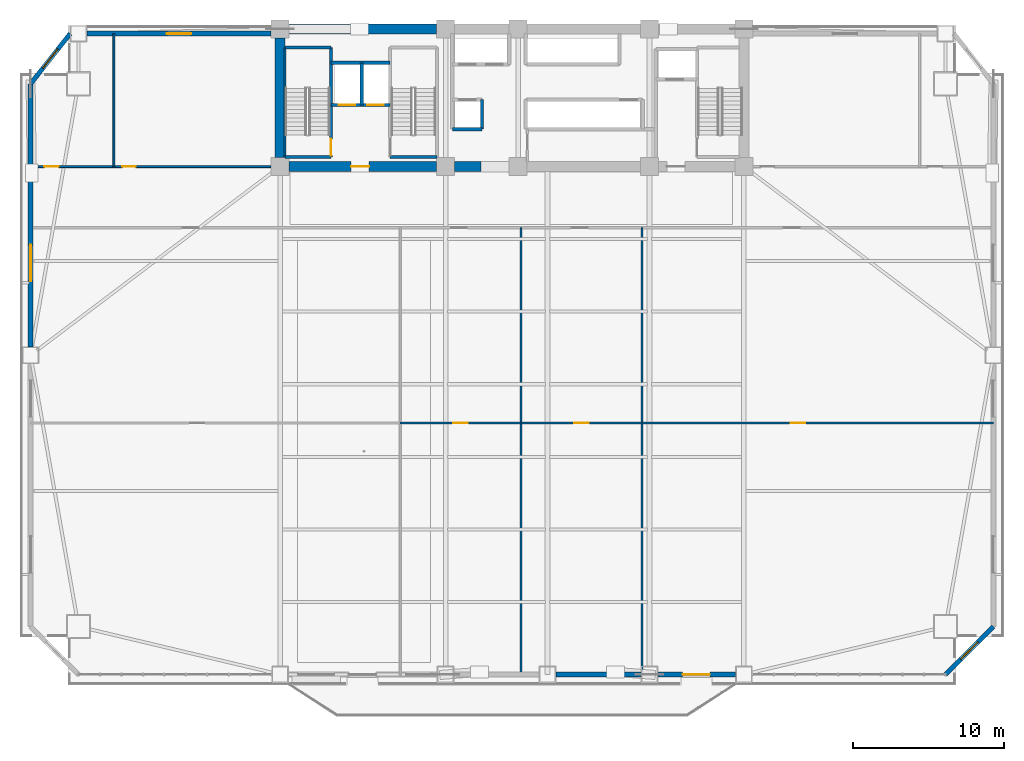
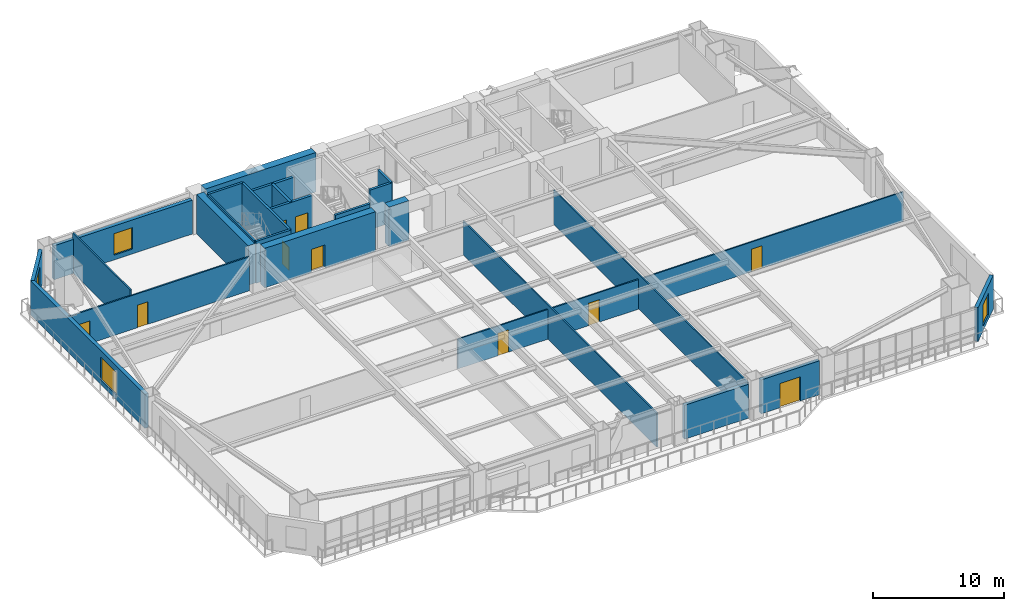
# One storey, part 9 of 17: 27 walls, 10 doors, 4 windows, 14 openings.
"""IFC4 building model written with IfcOpenShell, lengths in metres."""

from ifc_helpers import new_model, si_unit, direction, frame, frame_2d, origin, place, context, subcontext, project, spatial, rectangle, extrude, source, transform, mapped, material, layer, layer_set, type_object, element, fill, save


model = new_model("IFC4")

# Units and contexts
model_context = context("Model", 3, precision=1e-05, world=origin(), true_north=direction((0.0, 1.0)))
body_context = subcontext(model_context, "Body", "Model", "MODEL_VIEW")
ifc_project = project(units=[si_unit("LENGTHUNIT", "METRE"), si_unit("AREAUNIT", "SQUARE_METRE"), si_unit("VOLUMEUNIT", "CUBIC_METRE"), si_unit("PLANEANGLEUNIT", "RADIAN"), si_unit("MASSUNIT", "GRAM", prefix="KILO")], contexts=[model_context])

# Site, building, storey
site_placement = place(None, origin())
site = spatial("IfcSite", under=ifc_project, at=site_placement, CompositionType="ELEMENT")
building_placement = place(site_placement, origin())
building = spatial("IfcBuilding", under=site, at=building_placement, Name="Giltprow Tower", CompositionType="ELEMENT")
storey_placement = place(building_placement, frame((0.0, 0.0, 37.10009765625)))
storey = spatial("IfcBuildingStorey", under=building, at=storey_placement, Name="L09", CompositionType="ELEMENT", Elevation=37.10009765625)

# Wall, opening, window
ifc_material_1 = material(Name="Precast concrete C40", Category="concrete")
ifc_layer_1 = layer(ifc_material_1, 0.300048828125, Name="Precast concrete C40")
ifc_layer_set_1 = layer_set([ifc_layer_1], Name="Precast concrete C40")
wall_type_1 = type_object("IfcWallType", Name="EW-NOTCH-CHAMFER-300", PredefinedType="SOLIDWALL", material=ifc_layer_set_1)
wall_1_placement = place(storey_placement, frame((63.89111328125, 3.826904296875, 0.0), z_axis=(0.0, 0.0, 1.0), x_axis=(0.707079585295, 0.707133976032, 0.0)))
wall_1 = element("IfcWall", 1, at=wall_1_placement, inside=storey, type_object=wall_type_1, Name="L09 Corner Notch Wall SE", PredefinedType="SOLIDWALL", context=body_context, shape_type="SweptSolid", body=[
    extrude(rectangle(XDim=4.488525390625, YDim=0.300048828125, at=frame_2d((2.244140625, 0.0))), origin(), (0.0, 0.0, 1.0), 3.159912109375),
])
opening_1_placement = place(wall_1_placement, frame((1.444091796875, 0.0, 0.449951171875)))
opening_1 = element("IfcOpeningElement", 2, at=opening_1_placement, cuts=wall_1, Name="Opening WN17", PredefinedType="OPENING", context=body_context, shape_type="SweptSolid", body=[
    extrude(rectangle(XDim=1.60009765625, YDim=2.0, at=frame_2d((0.800048828125, 1.0))), frame((0.0, 0.159912109375, 0.0), z_axis=(0.0, -1.0, 0.0), x_axis=(1.0, 0.0, 0.0)), (0.0, 0.0, 1.0), 0.320068359375),
])
ifc_material_2 = material(Name="Insulated glass", Category="glass")
window_type_1 = type_object("IfcWindowType", Name="WN-COR-1600x2000", PartitioningType="SINGLE_PANEL", PredefinedType="WINDOW", material=ifc_material_2)
shared_shape_1 = source(origin(), body_context, "Body", "SweptSolid", [
    extrude(rectangle(XDim=1.60009765625, YDim=2.0, at=frame_2d((0.800048828125, 1.0))), frame((0.0, 0.030029296875, 0.0), z_axis=(0.0, -1.0, 0.0), x_axis=(1.0, 0.0, 0.0)), (0.0, 0.0, 1.0), 0.06005859375),
])
window_1_placement = place(opening_1_placement, origin())
window_1 = element("IfcWindow", 3, at=window_1_placement, inside=storey, type_object=window_type_1, Name="L09 Corner Notch Window SE", OverallHeight=2.0, OverallWidth=1.60009765625, PartitioningType="SINGLE_PANEL", PredefinedType="WINDOW", context=body_context, shape_type="MappedRepresentation", body=[
    mapped(shared_shape_1, transform((0.0, 0.0, 0.0), x_axis=(1.0, 0.0, 0.0), y_axis=(0.0, 1.0, 0.0), z_axis=(0.0, 0.0, 1.0), scale=1.0)),
])
fill(opening_1, window_1)

wall_2_placement = place(storey_placement, frame((5.958984375, 46.25, 0.0), z_axis=(0.0, 0.0, 1.0), x_axis=(-0.619619988795, -0.784901948963, 0.0)))
wall_2 = element("IfcWall", 4, at=wall_2_placement, inside=storey, type_object=wall_type_1, Name="L09 Corner Notch Wall NW", PredefinedType="SOLIDWALL", context=body_context, shape_type="SweptSolid", body=[
    extrude(rectangle(XDim=4.23486328125, YDim=0.300048828125, at=frame_2d((2.117431640625, 0.0))), origin(), (0.0, 0.0, 1.0), 3.159912109375),
])
opening_2_placement = place(wall_2_placement, frame((1.31689453125, 0.0, 0.449951171875)))
opening_2 = element("IfcOpeningElement", 5, at=opening_2_placement, cuts=wall_2, Name="Opening WN17", PredefinedType="OPENING", context=body_context, shape_type="SweptSolid", body=[
    extrude(rectangle(XDim=1.60009765625, YDim=2.0, at=frame_2d((0.800048828125, 1.0))), frame((0.0, 0.159912109375, 0.0), z_axis=(0.0, -1.0, 0.0), x_axis=(1.0, 0.0, 0.0)), (0.0, 0.0, 1.0), 0.320068359375),
])
window_2_placement = place(opening_2_placement, origin())
window_2 = element("IfcWindow", 6, at=window_2_placement, inside=storey, type_object=window_type_1, Name="L09 Corner Notch Window NW", OverallHeight=2.0, OverallWidth=1.60009765625, PartitioningType="SINGLE_PANEL", PredefinedType="WINDOW", context=body_context, shape_type="MappedRepresentation", body=[
    mapped(shared_shape_1, transform((0.0, 0.0, 0.0), x_axis=(1.0, 0.0, 0.0), y_axis=(0.0, 1.0, 0.0), z_axis=(0.0, 0.0, 1.0), scale=1.0)),
])
fill(opening_2, window_2)

# Wall
ifc_layer_2 = layer(ifc_material_1, 0.320068359375, Name="Precast concrete C40")
ifc_layer_set_2 = layer_set([ifc_layer_2], Name="Precast concrete C40")
wall_type_2 = type_object("IfcWallType", Name="EW-TOW-STONE-320", PredefinedType="SOLIDWALL", material=ifc_layer_set_2)
wall_3_placement = place(storey_placement, frame((38.10009765625, 3.826904296875, 0.0), z_axis=(0.0, 0.0, 1.0), x_axis=(1.0, 0.0, 0.0)))
element("IfcWall", 7, at=wall_3_placement, inside=storey, type_object=wall_type_2, Name="L09 South Expressed Frame Wall 4", PredefinedType="SOLIDWALL", context=body_context, shape_type="SweptSolid", body=[
    extrude(rectangle(XDim=5.64990234375, YDim=0.320068359375, at=frame_2d((2.824951171875, 0.0))), origin(), (0.0, 0.0, 1.0), 3.159912109375),
])

# Wall, opening, door
wall_4_placement = place(storey_placement, frame((44.85009765625, 3.826904296875, 0.0), z_axis=(0.0, 0.0, 1.0), x_axis=(1.0, 0.0, 0.0)))
wall_4 = element("IfcWall", 8, at=wall_4_placement, inside=storey, type_object=wall_type_2, Name="L09 South Expressed Frame Wall 5", PredefinedType="SOLIDWALL", context=body_context, shape_type="SweptSolid", body=[
    extrude(rectangle(XDim=5.14990234375, YDim=0.320068359375, at=frame_2d((2.574951171875, 0.0))), origin(), (0.0, 0.0, 1.0), 3.159912109375),
])
opening_3_placement = place(wall_4_placement, frame((1.64990234375, 0.0, 0.0)))
opening_3 = element("IfcOpeningElement", 9, at=opening_3_placement, cuts=wall_4, Name="Opening ED25", PredefinedType="OPENING", context=body_context, shape_type="SweptSolid", body=[
    extrude(rectangle(XDim=1.800048828125, YDim=2.25, at=frame_2d((0.89990234375, 1.125))), frame((0.0, 0.169921875, 0.0), z_axis=(0.0, -1.0, 0.0), x_axis=(1.0, 0.0, 0.0)), (0.0, 0.0, 1.0), 0.340087890625),
])
ifc_material_3 = material(Name="Anodized bronze and glass", Category="glass")
door_type_1 = type_object("IfcDoorType", Name="DR-BALC-SLIDE-1800", OperationType="SLIDING_TO_LEFT", PredefinedType="DOOR", material=ifc_material_3)
shared_shape_2 = source(origin(), body_context, "Body", "SweptSolid", [
    extrude(rectangle(XDim=1.800048828125, YDim=2.25, at=frame_2d((0.89990234375, 1.125))), frame((0.0, 0.02490234375, 0.0), z_axis=(0.0, -1.0, 0.0), x_axis=(1.0, 0.0, 0.0)), (0.0, 0.0, 1.0), 0.050048828125),
])
door_1_placement = place(opening_3_placement, origin())
door_1 = element("IfcDoor", 10, at=door_1_placement, inside=storey, type_object=door_type_1, Name="L09 Waterfront Balcony Sliding Door 2", OperationType="SLIDING_TO_LEFT", OverallHeight=2.25, OverallWidth=1.800048828125, PredefinedType="DOOR", context=body_context, shape_type="MappedRepresentation", body=[
    mapped(shared_shape_2, transform((0.0, 0.0, 0.0), x_axis=(1.0, 0.0, 0.0), y_axis=(0.0, 1.0, 0.0), z_axis=(0.0, 0.0, 1.0), scale=1.0)),
])
fill(opening_3, door_1)

# Wall, opening, window
wall_5_placement = place(storey_placement, frame((3.3349609375, 25.512939453125, 0.0), z_axis=(0.0, 0.0, 1.0), x_axis=(0.0, 1.0, 0.0)))
wall_5 = element("IfcWall", 11, at=wall_5_placement, inside=storey, type_object=wall_type_2, Name="L09 W Wing Masonry Wall 2", PredefinedType="SOLIDWALL", context=body_context, shape_type="SweptSolid", body=[
    extrude(rectangle(XDim=17.4130859375, YDim=0.320068359375, at=frame_2d((8.70654296875, 0.0))), origin(), (0.0, 0.0, 1.0), 3.159912109375),
])
opening_4_placement = place(wall_5_placement, frame((4.35595703125, 0.0, 0.449951171875)))
opening_4 = element("IfcOpeningElement", 12, at=opening_4_placement, cuts=wall_5, Name="Opening WN29", PredefinedType="OPENING", context=body_context, shape_type="SweptSolid", body=[
    extrude(rectangle(XDim=2.39990234375, YDim=2.10009765625, at=frame_2d((1.199951171875, 1.050048828125))), frame((0.0, 0.169921875, 0.0), z_axis=(0.0, -1.0, 0.0), x_axis=(1.0, 0.0, 0.0)), (0.0, 0.0, 1.0), 0.340087890625),
])
window_type_2 = type_object("IfcWindowType", Name="WN-OFF-2400x2100", PartitioningType="DOUBLE_PANEL_VERTICAL", PredefinedType="WINDOW", material=ifc_material_2)
shared_shape_3 = source(origin(), body_context, "Body", "SweptSolid", [
    extrude(rectangle(XDim=2.39990234375, YDim=2.10009765625, at=frame_2d((1.199951171875, 1.050048828125))), frame((0.0, 0.030029296875, 0.0), z_axis=(0.0, -1.0, 0.0), x_axis=(1.0, 0.0, 0.0)), (0.0, 0.0, 1.0), 0.06005859375),
])
window_3_placement = place(opening_4_placement, origin())
window_3 = element("IfcWindow", 13, at=window_3_placement, inside=storey, type_object=window_type_2, Name="L09 W Wing Window 2-1", OverallHeight=2.10009765625, OverallWidth=2.39990234375, PartitioningType="SINGLE_PANEL", PredefinedType="WINDOW", context=body_context, shape_type="MappedRepresentation", body=[
    mapped(shared_shape_3, transform((0.0, 0.0, 0.0), x_axis=(1.0, 0.0, 0.0), y_axis=(0.0, 1.0, 0.0), z_axis=(0.0, 0.0, 1.0), scale=1.0)),
])
fill(opening_4, window_3)

wall_6_placement = place(storey_placement, frame((7.05908203125, 46.25, 0.0), z_axis=(0.0, 0.0, 1.0), x_axis=(1.0, 0.0, 0.0)))
wall_6 = element("IfcWall", 14, at=wall_6_placement, inside=storey, type_object=wall_type_2, Name="L09 North-West Wing Wall", PredefinedType="SOLIDWALL", context=body_context, shape_type="SweptSolid", body=[
    extrude(rectangle(XDim=12.19091796875, YDim=0.320068359375, at=frame_2d((6.095458984375, 0.0))), origin(), (0.0, 0.0, 1.0), 3.159912109375),
])
opening_5_placement = place(wall_6_placement, frame((5.294921875, 0.0, 0.449951171875)))
opening_5 = element("IfcOpeningElement", 15, at=opening_5_placement, cuts=wall_6, Name="Opening WN17", PredefinedType="OPENING", context=body_context, shape_type="SweptSolid", body=[
    extrude(rectangle(XDim=1.60009765625, YDim=2.0, at=frame_2d((0.800048828125, 1.0))), frame((0.0, 0.169921875, 0.0), z_axis=(0.0, -1.0, 0.0), x_axis=(1.0, 0.0, 0.0)), (0.0, 0.0, 1.0), 0.340087890625),
])
window_4_placement = place(opening_5_placement, origin())
window_4 = element("IfcWindow", 16, at=window_4_placement, inside=storey, type_object=window_type_1, Name="L09 North-West Window", OverallHeight=2.0, OverallWidth=1.60009765625, PartitioningType="SINGLE_PANEL", PredefinedType="WINDOW", context=body_context, shape_type="MappedRepresentation", body=[
    mapped(shared_shape_1, transform((0.0, 0.0, 0.0), x_axis=(1.0, 0.0, 0.0), y_axis=(0.0, 1.0, 0.0), z_axis=(0.0, 0.0, 1.0), scale=1.0)),
])
fill(opening_5, window_4)

# Wall, opening, door
ifc_material_4 = material(Name="Gypsum stud partition", Category="gypsum")
ifc_layer_3 = layer(ifc_material_4, 0.1201171875, Name="Gypsum stud partition")
ifc_layer_set_3 = layer_set([ifc_layer_3], Name="Gypsum stud partition")
wall_type_3 = type_object("IfcWallType", Name="IW-ROOM-120", PredefinedType="PARTITIONING", material=ifc_layer_set_3)
wall_7_placement = place(storey_placement, frame((27.800048828125, 20.47607421875, 0.0), z_axis=(0.0, 0.0, 1.0), x_axis=(1.0, 0.0, 0.0)))
wall_7 = element("IfcWall", 17, at=wall_7_placement, inside=storey, type_object=wall_type_3, Name="L09 Office Mid Wall 2", PredefinedType="PARTITIONING", context=body_context, shape_type="SweptSolid", body=[
    extrude(rectangle(XDim=8.0, YDim=0.1201171875, at=frame_2d((4.0, 0.0))), origin(), (0.0, 0.0, 1.0), 2.764892578125),
])
opening_6_placement = place(wall_7_placement, frame((3.52294921875, 0.0, 0.0)))
opening_6 = element("IfcOpeningElement", 18, at=opening_6_placement, cuts=wall_7, Name="Opening ID11", PredefinedType="OPENING", context=body_context, shape_type="SweptSolid", body=[
    extrude(rectangle(XDim=0.949951171875, YDim=2.10009765625, at=frame_2d((0.47509765625, 1.050048828125))), frame((0.0, 0.070068359375, 0.0), z_axis=(0.0, -1.0, 0.0), x_axis=(1.0, 0.0, 0.0)), (0.0, 0.0, 1.0), 0.14013671875),
])
ifc_material_5 = material(Name="Engineered timber", Category="wood")
door_type_2 = type_object("IfcDoorType", Name="DR-ROOM-950", OperationType="SINGLE_SWING_RIGHT", PredefinedType="DOOR", material=ifc_material_5)
shared_shape_4 = source(origin(), body_context, "Body", "SweptSolid", [
    extrude(rectangle(XDim=0.949951171875, YDim=2.10009765625, at=frame_2d((0.47509765625, 1.050048828125))), frame((0.0, 0.02490234375, 0.0), z_axis=(0.0, -1.0, 0.0), x_axis=(1.0, 0.0, 0.0)), (0.0, 0.0, 1.0), 0.050048828125),
])
door_2_placement = place(opening_6_placement, origin())
door_2 = element("IfcDoor", 19, at=door_2_placement, inside=storey, type_object=door_type_2, Name="L09 Vault Registry Store 2 Inner Door", OperationType="SINGLE_SWING_RIGHT", OverallHeight=2.10009765625, OverallWidth=0.949951171875, PredefinedType="DOOR", context=body_context, shape_type="MappedRepresentation", body=[
    mapped(shared_shape_4, transform((0.0, 0.0, 0.0), x_axis=(1.0, 0.0, 0.0), y_axis=(0.0, 1.0, 0.0), z_axis=(0.0, 0.0, 1.0), scale=1.0)),
])
fill(opening_6, door_2)

# Wall
wall_8_placement = place(storey_placement, frame((35.800048828125, 3.826904296875, 0.0), z_axis=(0.0, 0.0, 1.0), x_axis=(0.0, 1.0, 0.0)))
element("IfcWall", 20, at=wall_8_placement, inside=storey, type_object=wall_type_3, Name="L09 Office Partition 2", PredefinedType="PARTITIONING", context=body_context, shape_type="SweptSolid", body=[
    extrude(rectangle(XDim=29.572998046875, YDim=0.1201171875, at=frame_2d((14.78662109375, 0.0))), origin(), (0.0, 0.0, 1.0), 3.164794921875),
])

# Wall, opening, door
wall_9_placement = place(storey_placement, frame((35.800048828125, 20.47607421875, 0.0), z_axis=(0.0, 0.0, 1.0), x_axis=(1.0, 0.0, 0.0)))
wall_9 = element("IfcWall", 21, at=wall_9_placement, inside=storey, type_object=wall_type_3, Name="L09 Office Mid Wall 3", PredefinedType="PARTITIONING", context=body_context, shape_type="SweptSolid", body=[
    extrude(rectangle(XDim=8.0, YDim=0.1201171875, at=frame_2d((4.0, 0.0))), origin(), (0.0, 0.0, 1.0), 2.764892578125),
])
opening_7_placement = place(wall_9_placement, frame((3.52294921875, 0.0, 0.0)))
opening_7 = element("IfcOpeningElement", 22, at=opening_7_placement, cuts=wall_9, Name="Opening ID11", PredefinedType="OPENING", context=body_context, shape_type="SweptSolid", body=[
    extrude(rectangle(XDim=0.949951171875, YDim=2.10009765625, at=frame_2d((0.47509765625, 1.050048828125))), frame((0.0, 0.070068359375, 0.0), z_axis=(0.0, -1.0, 0.0), x_axis=(1.0, 0.0, 0.0)), (0.0, 0.0, 1.0), 0.14013671875),
])
door_3_placement = place(opening_7_placement, origin())
door_3 = element("IfcDoor", 23, at=door_3_placement, inside=storey, type_object=door_type_2, Name="L09 Document Deeds Store 3 Inner Door", OperationType="SINGLE_SWING_RIGHT", OverallHeight=2.10009765625, OverallWidth=0.949951171875, PredefinedType="DOOR", context=body_context, shape_type="MappedRepresentation", body=[
    mapped(shared_shape_4, transform((0.0, 0.0, 0.0), x_axis=(1.0, 0.0, 0.0), y_axis=(0.0, 1.0, 0.0), z_axis=(0.0, 0.0, 1.0), scale=1.0)),
])
fill(opening_7, door_3)

# Wall
wall_10_placement = place(storey_placement, frame((43.800048828125, 3.826904296875, 0.0), z_axis=(0.0, 0.0, 1.0), x_axis=(0.0, 1.0, 0.0)))
element("IfcWall", 24, at=wall_10_placement, inside=storey, type_object=wall_type_3, Name="L09 Office Partition 3", PredefinedType="PARTITIONING", context=body_context, shape_type="SweptSolid", body=[
    extrude(rectangle(XDim=29.572998046875, YDim=0.1201171875, at=frame_2d((14.78662109375, 0.0))), origin(), (0.0, 0.0, 1.0), 3.21484375),
])

# Wall, opening, door
wall_11_placement = place(storey_placement, frame((43.800048828125, 20.47607421875, 0.0), z_axis=(0.0, 0.0, 1.0), x_axis=(1.0, 0.0, 0.0)))
wall_11 = element("IfcWall", 25, at=wall_11_placement, inside=storey, type_object=wall_type_3, Name="L09 Office Mid Wall 4", PredefinedType="PARTITIONING", context=body_context, shape_type="SweptSolid", body=[
    extrude(rectangle(XDim=23.264892578125, YDim=0.1201171875, at=frame_2d((11.63232421875, 0.0))), origin(), (0.0, 0.0, 1.0), 2.764892578125),
])
opening_8_placement = place(wall_11_placement, frame((9.85009765625, 0.0, 0.0)))
opening_8 = element("IfcOpeningElement", 26, at=opening_8_placement, cuts=wall_11, Name="Opening ID11", PredefinedType="OPENING", context=body_context, shape_type="SweptSolid", body=[
    extrude(rectangle(XDim=0.949951171875, YDim=2.10009765625, at=frame_2d((0.47509765625, 1.050048828125))), frame((0.0, 0.070068359375, 0.0), z_axis=(0.0, -1.0, 0.0), x_axis=(1.0, 0.0, 0.0)), (0.0, 0.0, 1.0), 0.14013671875),
])
door_4_placement = place(opening_8_placement, origin())
door_4 = element("IfcDoor", 27, at=door_4_placement, inside=storey, type_object=door_type_2, Name="L09 Evidence Locker Store 4 Inner Door", OperationType="SINGLE_SWING_RIGHT", OverallHeight=2.10009765625, OverallWidth=0.949951171875, PredefinedType="DOOR", context=body_context, shape_type="MappedRepresentation", body=[
    mapped(shared_shape_4, transform((0.0, 0.0, 0.0), x_axis=(1.0, 0.0, 0.0), y_axis=(0.0, 1.0, 0.0), z_axis=(0.0, 0.0, 1.0), scale=1.0)),
])
fill(opening_8, door_4)

# Wall, openings, doors
ifc_material_6 = material(Name="Concrete C40", Category="concrete")
ifc_layer_4 = layer(ifc_material_6, 0.219970703125, Name="Concrete C40")
ifc_layer_set_4 = layer_set([ifc_layer_4], Name="Concrete C40")
wall_type_4 = type_object("IfcWallType", Name="IW-SHAFT-220", PredefinedType="SOLIDWALL", material=ifc_layer_set_4)
wall_12_placement = place(storey_placement, frame((23.219970703125, 41.52001953125, 0.0), z_axis=(0.0, 0.0, 1.0), x_axis=(1.0, 0.0, 0.0)))
wall_12 = element("IfcWall", 28, at=wall_12_placement, inside=storey, type_object=wall_type_4, Name="L09 FFL1 and Service Lift Front Wall", PredefinedType="SOLIDWALL", context=body_context, shape_type="SweptSolid", body=[
    extrude(rectangle(XDim=3.919921875, YDim=0.219970703125, at=frame_2d((1.9599609375, 0.0))), origin(), (0.0, 0.0, 1.0), 3.679931640625),
])
opening_9_placement = place(wall_12_placement, frame((0.5, 0.0, 0.0)))
opening_9 = element("IfcOpeningElement", 29, at=opening_9_placement, cuts=wall_12, Name="Opening LD-11", PredefinedType="OPENING", context=body_context, shape_type="SweptSolid", body=[
    extrude(rectangle(XDim=1.10009765625, YDim=2.199951171875, at=frame_2d((0.550048828125, 1.10009765625))), frame((0.0, 0.119873046875, 0.0), z_axis=(0.0, -1.0, 0.0), x_axis=(1.0, 0.0, 0.0)), (0.0, 0.0, 1.0), 0.239990234375),
])
opening_10_placement = place(wall_12_placement, frame((2.39990234375, 0.0, 0.0)))
opening_10 = element("IfcOpeningElement", 30, at=opening_10_placement, cuts=wall_12, Name="Opening LD-11", PredefinedType="OPENING", context=body_context, shape_type="SweptSolid", body=[
    extrude(rectangle(XDim=1.10009765625, YDim=2.199951171875, at=frame_2d((0.550048828125, 1.10009765625))), frame((0.0, 0.119873046875, 0.0), z_axis=(0.0, -1.0, 0.0), x_axis=(1.0, 0.0, 0.0)), (0.0, 0.0, 1.0), 0.239990234375),
])
ifc_material_7 = material(Name="Stainless steel", Category="steel")
door_type_3 = type_object("IfcDoorType", Name="DR-LIFT-LD1100", OperationType="SLIDING_TO_LEFT", PredefinedType="DOOR", material=ifc_material_7)
shared_shape_5 = source(origin(), body_context, "Body", "SweptSolid", [
    extrude(rectangle(XDim=1.10009765625, YDim=2.199951171875, at=frame_2d((0.550048828125, 1.10009765625))), frame((0.0, 0.02490234375, 0.0), z_axis=(0.0, -1.0, 0.0), x_axis=(1.0, 0.0, 0.0)), (0.0, 0.0, 1.0), 0.050048828125),
])
door_5_placement = place(opening_9_placement, origin())
door_5 = element("IfcDoor", 31, at=door_5_placement, inside=storey, type_object=door_type_3, Name="L09 FFL1 Landing Door", OperationType="SLIDING_TO_LEFT", OverallHeight=2.199951171875, OverallWidth=1.10009765625, PredefinedType="DOOR", context=body_context, shape_type="MappedRepresentation", body=[
    mapped(shared_shape_5, transform((0.0, 0.0, 0.0), x_axis=(1.0, 0.0, 0.0), y_axis=(0.0, 1.0, 0.0), z_axis=(0.0, 0.0, 1.0), scale=1.0)),
])
fill(opening_9, door_5)
door_6_placement = place(opening_10_placement, origin())
door_6 = element("IfcDoor", 32, at=door_6_placement, inside=storey, type_object=door_type_3, Name="L09 SVL1 Landing Door", OperationType="SLIDING_TO_LEFT", OverallHeight=2.199951171875, OverallWidth=1.10009765625, PredefinedType="DOOR", context=body_context, shape_type="MappedRepresentation", body=[
    mapped(shared_shape_5, transform((0.0, 0.0, 0.0), x_axis=(1.0, 0.0, 0.0), y_axis=(0.0, 1.0, 0.0), z_axis=(0.0, 0.0, 1.0), scale=1.0)),
])
fill(opening_10, door_6)

# Walls
wall_13_placement = place(storey_placement, frame((25.260009765625, 41.52001953125, 0.0), z_axis=(0.0, 0.0, 1.0), x_axis=(0.0, 1.0, 0.0)))
element("IfcWall", 33, at=wall_13_placement, inside=storey, type_object=wall_type_4, Name="L09 FFL1-SVL1 Shaft Divider", PredefinedType="SOLIDWALL", context=body_context, shape_type="SweptSolid", body=[
    extrude(rectangle(XDim=2.800048828125, YDim=0.219970703125, at=frame_2d((1.39990234375, 0.0))), origin(), (0.0, 0.0, 1.0), 3.679931640625),
])
wall_14_placement = place(storey_placement, frame((23.219970703125, 44.320068359375, 0.0), z_axis=(0.0, 0.0, 1.0), x_axis=(1.0, 0.0, 0.0)))
element("IfcWall", 34, at=wall_14_placement, inside=storey, type_object=wall_type_4, Name="L09 FFL1-SVL1 Back Shaft Wall", PredefinedType="SOLIDWALL", context=body_context, shape_type="SweptSolid", body=[
    extrude(rectangle(XDim=3.919921875, YDim=0.219970703125, at=frame_2d((1.9599609375, 0.0))), origin(), (0.0, 0.0, 1.0), 3.679931640625),
])
wall_15_placement = place(storey_placement, frame((31.25, 39.919921875, 0.0), z_axis=(0.0, 0.0, 1.0), x_axis=(1.0, 0.0, 0.0)))
element("IfcWall", 35, at=wall_15_placement, inside=storey, type_object=wall_type_4, Name="L09 Low-Rise South Lift Back Wall", PredefinedType="SOLIDWALL", context=body_context, shape_type="SweptSolid", body=[
    extrude(rectangle(XDim=1.969970703125, YDim=0.219970703125, at=frame_2d((0.98486328125, 0.0))), origin(), (0.0, 0.0, 1.0), 3.679931640625),
])
wall_16_placement = place(storey_placement, frame((33.219970703125, 39.919921875, 0.0), z_axis=(0.0, 0.0, 1.0), x_axis=(0.0, 1.0, 0.0)))
element("IfcWall", 36, at=wall_16_placement, inside=storey, type_object=wall_type_4, Name="L09 Low-Rise South Lift East Closure", PredefinedType="SOLIDWALL", context=body_context, shape_type="SweptSolid", body=[
    extrude(rectangle(XDim=1.9599609375, YDim=0.219970703125, at=frame_2d((0.97998046875, 0.0))), origin(), (0.0, 0.0, 1.0), 3.679931640625),
])
ifc_material_8 = material(Name="Concrete C45", Category="concrete")
ifc_layer_5 = layer(ifc_material_8, 0.139892578125, Name="Concrete C45")
ifc_layer_set_5 = layer_set([ifc_layer_5], Name="Concrete C45")
wall_type_5 = type_object("IfcWallType", Name="IW-STAIR-140", PredefinedType="SOLIDWALL", material=ifc_layer_set_5)
wall_17_placement = place(storey_placement, frame((20.169921875, 38.070068359375, 0.0), z_axis=(0.0, 0.0, 1.0), x_axis=(0.0, 1.0, 0.0)))
element("IfcWall", 37, at=wall_17_placement, inside=storey, type_object=wall_type_5, Name="L09 Stair ST-1 West Bearing Wall", PredefinedType="SOLIDWALL", context=body_context, shape_type="SweptSolid", body=[
    extrude(rectangle(XDim=7.25, YDim=0.139892578125, at=frame_2d((3.625, 0.0))), origin(), (0.0, 0.0, 1.0), 3.89990234375),
])

# Wall, opening, door
ifc_layer_6 = layer(ifc_material_6, 0.199951171875, Name="Concrete C40")
ifc_layer_set_6 = layer_set([ifc_layer_6], Name="Concrete C40")
wall_type_6 = type_object("IfcWallType", Name="IW-STAIR-200", PredefinedType="SOLIDWALL", material=ifc_layer_set_6)
wall_18_placement = place(storey_placement, frame((23.219970703125, 38.070068359375, 0.0), z_axis=(0.0, 0.0, 1.0), x_axis=(0.0, 1.0, 0.0)))
wall_18 = element("IfcWall", 38, at=wall_18_placement, inside=storey, type_object=wall_type_6, Name="L09 Stair ST-1 East Bearing Wall", PredefinedType="SOLIDWALL", context=body_context, shape_type="SweptSolid", body=[
    extrude(rectangle(XDim=7.25, YDim=0.199951171875, at=frame_2d((3.625, 0.0))), origin(), (0.0, 0.0, 1.0), 3.89990234375),
])
opening_11_placement = place(wall_18_placement, frame((0.110107421875, 0.0, 0.0)))
opening_11 = element("IfcOpeningElement", 39, at=opening_11_placement, cuts=wall_18, Name="Opening ID33", PredefinedType="OPENING", context=body_context, shape_type="SweptSolid", body=[
    extrude(rectangle(XDim=1.10009765625, YDim=2.14990234375, at=frame_2d((0.550048828125, 1.074951171875))), frame((0.0, 0.10986328125, 0.0), z_axis=(0.0, -1.0, 0.0), x_axis=(1.0, 0.0, 0.0)), (0.0, 0.0, 1.0), 0.219970703125),
])
ifc_material_9 = material(Name="Steel fire leaf", Category="steel")
door_type_4 = type_object("IfcDoorType", Name="DR-STAIR-1100", OperationType="SINGLE_SWING_LEFT", PredefinedType="DOOR", material=ifc_material_9)
shared_shape_6 = source(origin(), body_context, "Body", "SweptSolid", [
    extrude(rectangle(XDim=1.10009765625, YDim=2.14990234375, at=frame_2d((0.550048828125, 1.074951171875))), frame((0.0, 0.02490234375, 0.0), z_axis=(0.0, -1.0, 0.0), x_axis=(1.0, 0.0, 0.0)), (0.0, 0.0, 1.0), 0.050048828125),
])
door_7_placement = place(opening_11_placement, origin())
door_7 = element("IfcDoor", 40, at=door_7_placement, inside=storey, type_object=door_type_4, Name="L09 Stair ST-1 Fire Door", OperationType="SINGLE_SWING_LEFT", OverallHeight=2.14990234375, OverallWidth=1.10009765625, PredefinedType="DOOR", context=body_context, shape_type="MappedRepresentation", body=[
    mapped(shared_shape_6, transform((0.0, 0.0, 0.0), x_axis=(1.0, 0.0, 0.0), y_axis=(0.0, 1.0, 0.0), z_axis=(0.0, 0.0, 1.0), scale=1.0)),
])
fill(opening_11, door_7)

# Walls
for number, where, z_axis, x_axis, name in (
    (41, (20.169921875, 45.320068359375, 0.0), (0.0, 0.0, 1.0), (1.0, 0.0, 0.0), "L09 Stair ST-1 North Bearing Wall"),
    (42, (20.169921875, 38.070068359375, 0.0), (0.0, 0.0, 1.0), (1.0, 0.0, 0.0), "L09 Stair ST-1 South Bearing Wall"),
):
    element("IfcWall", number, at=place(storey_placement, frame(where, z_axis=z_axis, x_axis=x_axis)), inside=storey, type_object=wall_type_6, Name=name, PredefinedType="SOLIDWALL", context=body_context, shape_type="SweptSolid", body=[
        extrude(rectangle(XDim=3.050048828125, YDim=0.199951171875, at=frame_2d((1.52490234375, 0.0))), origin(), (0.0, 0.0, 1.0), 3.89990234375),
    ])
wall_19_placement = place(storey_placement, frame((27.139892578125, 38.070068359375, 0.0), z_axis=(0.0, 0.0, 1.0), x_axis=(1.0, 0.0, 0.0)))
element("IfcWall", 43, at=wall_19_placement, inside=storey, type_object=wall_type_6, Name="L09 Stair ST-2 South Bearing Wall", PredefinedType="SOLIDWALL", context=body_context, shape_type="SweptSolid", body=[
    extrude(rectangle(XDim=3.080078125, YDim=0.199951171875, at=frame_2d((1.5400390625, 0.0))), origin(), (0.0, 0.0, 1.0), 3.89990234375),
])

# Wall, openings, doors
ifc_material_10 = material(Name="Concrete C30", Category="concrete")
ifc_layer_7 = layer(ifc_material_10, 0.1298828125, Name="Concrete C30")
ifc_layer_set_7 = layer_set([ifc_layer_7], Name="Concrete C30")
wall_type_7 = type_object("IfcWallType", Name="IW-WET-130", PredefinedType="PARTITIONING", material=ifc_layer_set_7)
wall_20_placement = place(storey_placement, frame((3.3349609375, 37.449951171875, 0.0), z_axis=(0.0, 0.0, 1.0), x_axis=(1.0, 0.0, 0.0)))
wall_20 = element("IfcWall", 44, at=wall_20_placement, inside=storey, type_object=wall_type_7, Name="L09 NW Wing South Wall", PredefinedType="PARTITIONING", context=body_context, shape_type="SweptSolid", body=[
    extrude(rectangle(XDim=15.9150390625, YDim=0.1298828125, at=frame_2d((7.95751953125, 0.0))), origin(), (0.0, 0.0, 1.0), 3.164794921875),
])
opening_12_placement = place(wall_20_placement, frame((0.89990234375, 0.0, 0.0)))
opening_12 = element("IfcOpeningElement", 45, at=opening_12_placement, cuts=wall_20, Name="Opening ID11", PredefinedType="OPENING", context=body_context, shape_type="SweptSolid", body=[
    extrude(rectangle(XDim=0.949951171875, YDim=2.10009765625, at=frame_2d((0.47509765625, 1.050048828125))), frame((0.0, 0.074951171875, 0.0), z_axis=(0.0, -1.0, 0.0), x_axis=(1.0, 0.0, 0.0)), (0.0, 0.0, 1.0), 0.14990234375),
])
opening_13_placement = place(wall_20_placement, frame((6.05908203125, 0.0, 0.0)))
opening_13 = element("IfcOpeningElement", 46, at=opening_13_placement, cuts=wall_20, Name="Opening ID15", PredefinedType="OPENING", context=body_context, shape_type="SweptSolid", body=[
    extrude(rectangle(XDim=0.89990234375, YDim=2.10009765625, at=frame_2d((0.449951171875, 1.050048828125))), frame((0.0, 0.074951171875, 0.0), z_axis=(0.0, -1.0, 0.0), x_axis=(1.0, 0.0, 0.0)), (0.0, 0.0, 1.0), 0.14990234375),
])
door_type_5 = type_object("IfcDoorType", Name="DR-WC-900", OperationType="SINGLE_SWING_LEFT", PredefinedType="DOOR", material=ifc_material_5)
shared_shape_7 = source(origin(), body_context, "Body", "SweptSolid", [
    extrude(rectangle(XDim=0.89990234375, YDim=2.10009765625, at=frame_2d((0.449951171875, 1.050048828125))), frame((0.0, 0.02490234375, 0.0), z_axis=(0.0, -1.0, 0.0), x_axis=(1.0, 0.0, 0.0)), (0.0, 0.0, 1.0), 0.050048828125),
])
door_8_placement = place(opening_13_placement, origin())
door_8 = element("IfcDoor", 47, at=door_8_placement, inside=storey, type_object=door_type_5, Name="L09 NW Washroom Door", OperationType="SINGLE_SWING_RIGHT", OverallHeight=2.10009765625, OverallWidth=0.89990234375, PredefinedType="DOOR", context=body_context, shape_type="MappedRepresentation", body=[
    mapped(shared_shape_7, transform((0.0, 0.0, 0.0), x_axis=(1.0, 0.0, 0.0), y_axis=(0.0, 1.0, 0.0), z_axis=(0.0, 0.0, 1.0), scale=1.0)),
])
fill(opening_13, door_8)
door_9_placement = place(opening_12_placement, origin())
door_9 = element("IfcDoor", 48, at=door_9_placement, inside=storey, type_object=door_type_2, Name="L09 West Tenant Office West Door", OperationType="SINGLE_SWING_LEFT", OverallHeight=2.10009765625, OverallWidth=0.949951171875, PredefinedType="DOOR", context=body_context, shape_type="MappedRepresentation", body=[
    mapped(shared_shape_4, transform((0.0, 0.0, 0.0), x_axis=(1.0, 0.0, 0.0), y_axis=(0.0, 1.0, 0.0), z_axis=(0.0, 0.0, 1.0), scale=1.0)),
])
fill(opening_12, door_9)

# Walls
wall_21_placement = place(storey_placement, frame((8.843994140625, 37.449951171875, 0.0), z_axis=(0.0, 0.0, 1.0), x_axis=(0.0, 1.0, 0.0)))
element("IfcWall", 49, at=wall_21_placement, inside=storey, type_object=wall_type_7, Name="L09 NW Wing Divider", PredefinedType="PARTITIONING", context=body_context, shape_type="SweptSolid", body=[
    extrude(rectangle(XDim=8.800048828125, YDim=0.1298828125, at=frame_2d((4.39990234375, 0.0))), origin(), (0.0, 0.0, 1.0), 3.679931640625),
])
ifc_material_11 = material(Name="Concrete C60", Category="concrete")
ifc_layer_8 = layer(ifc_material_11, 0.64990234375, Name="Concrete C60")
ifc_layer_set_8 = layer_set([ifc_layer_8], Name="Concrete C60")
wall_type_8 = type_object("IfcWallType", Name="SW-EXT-650-C60", PredefinedType="SHEAR", material=ifc_layer_set_8)
wall_22_placement = place(storey_placement, frame((20.449951171875, 46.550048828125, 0.0), z_axis=(0.0, 0.0, 1.0), x_axis=(1.0, 0.0, 0.0)))
element("IfcWall", 50, at=wall_22_placement, inside=storey, type_object=wall_type_8, Name="L09 North Rear Core Shear Wall 1", PredefinedType="SHEAR", context=body_context, shape_type="SweptSolid", body=[
    extrude(rectangle(XDim=9.75, YDim=0.64990234375, at=frame_2d((4.875, 0.0))), origin(), (0.0, 0.0, 1.0), 3.679931640625),
])

# Wall, opening, door
ifc_layer_9 = layer(ifc_material_11, 0.64990234375, Name="Concrete C60")
ifc_layer_set_9 = layer_set([ifc_layer_9], Name="Concrete C60")
wall_type_9 = type_object("IfcWallType", Name="SW-INT-650-C60", PredefinedType="SHEAR", material=ifc_layer_set_9)
wall_23_placement = place(storey_placement, frame((20.449951171875, 37.449951171875, 0.0), z_axis=(0.0, 0.0, 1.0), x_axis=(1.0, 0.0, 0.0)))
wall_23 = element("IfcWall", 51, at=wall_23_placement, inside=storey, type_object=wall_type_9, Name="L09 South Rear Core Shear Wall West", PredefinedType="SHEAR", context=body_context, shape_type="SweptSolid", body=[
    extrude(rectangle(XDim=9.75, YDim=0.64990234375, at=frame_2d((4.875, 0.0))), origin(), (0.0, 0.0, 1.0), 3.679931640625),
])
opening_14_placement = place(wall_23_placement, frame((4.10009765625, 0.0, 0.0)))
opening_14 = element("IfcOpeningElement", 52, at=opening_14_placement, cuts=wall_23, Name="Opening ID19", PredefinedType="OPENING", context=body_context, shape_type="SweptSolid", body=[
    extrude(rectangle(XDim=1.199951171875, YDim=2.14990234375, at=frame_2d((0.60009765625, 1.074951171875))), frame((0.0, 0.3349609375, 0.0), z_axis=(0.0, -1.0, 0.0), x_axis=(1.0, 0.0, 0.0)), (0.0, 0.0, 1.0), 0.669921875),
])
door_type_6 = type_object("IfcDoorType", Name="DR-FFLOBBY-1200", OperationType="SINGLE_SWING_RIGHT", PredefinedType="DOOR", material=ifc_material_9)
shared_shape_8 = source(origin(), body_context, "Body", "SweptSolid", [
    extrude(rectangle(XDim=1.199951171875, YDim=2.14990234375, at=frame_2d((0.60009765625, 1.074951171875))), frame((0.0, 0.02490234375, 0.0), z_axis=(0.0, -1.0, 0.0), x_axis=(1.0, 0.0, 0.0)), (0.0, 0.0, 1.0), 0.050048828125),
])
door_10_placement = place(opening_14_placement, origin())
door_10 = element("IfcDoor", 53, at=door_10_placement, inside=storey, type_object=door_type_6, Name="L09 West Firefighting Lobby Entry Door", OperationType="SINGLE_SWING_RIGHT", OverallHeight=2.14990234375, OverallWidth=1.199951171875, PredefinedType="DOOR", context=body_context, shape_type="MappedRepresentation", body=[
    mapped(shared_shape_8, transform((0.0, 0.0, 0.0), x_axis=(1.0, 0.0, 0.0), y_axis=(0.0, 1.0, 0.0), z_axis=(0.0, 0.0, 1.0), scale=1.0)),
])
fill(opening_14, door_10)

# Walls
wall_24_placement = place(storey_placement, frame((31.39990234375, 37.449951171875, 0.0), z_axis=(0.0, 0.0, 1.0), x_axis=(1.0, 0.0, 0.0)))
element("IfcWall", 54, at=wall_24_placement, inside=storey, type_object=wall_type_9, Name="L09 South Rear Core Shear Wall Mid-West", PredefinedType="SHEAR", context=body_context, shape_type="SweptSolid", body=[
    extrude(rectangle(XDim=1.75, YDim=0.64990234375, at=frame_2d((0.875, 0.0))), origin(), (0.0, 0.0, 1.0), 3.679931640625),
])
wall_25_placement = place(storey_placement, frame((19.85009765625, 38.050048828125, 0.0), z_axis=(0.0, 0.0, 1.0), x_axis=(0.0, 1.0, 0.0)))
element("IfcWall", 55, at=wall_25_placement, inside=storey, type_object=wall_type_9, Name="L09 W Rear Core Shear Wall", PredefinedType="SHEAR", context=body_context, shape_type="SweptSolid", body=[
    extrude(rectangle(XDim=7.89990234375, YDim=0.64990234375, at=frame_2d((3.949951171875, 0.0))), origin(), (0.0, 0.0, 1.0), 3.679931640625),
])

save(model, "model.ifc")
